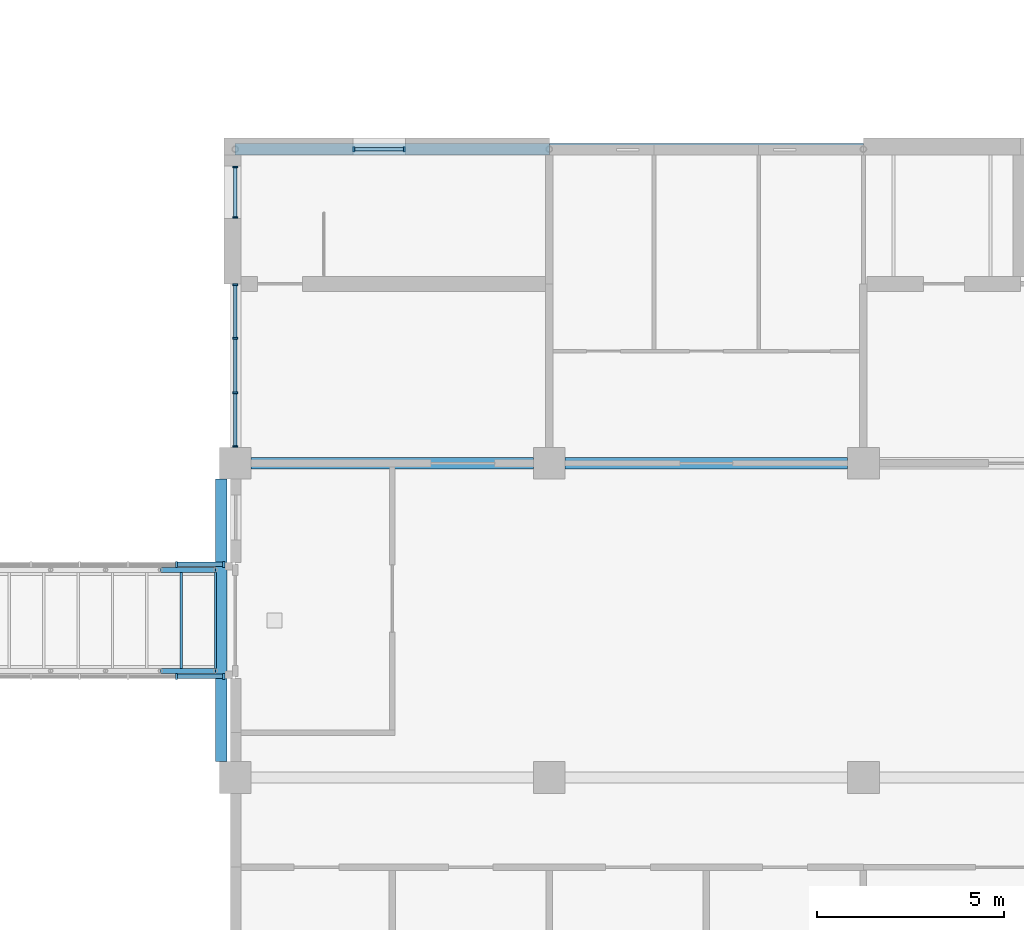
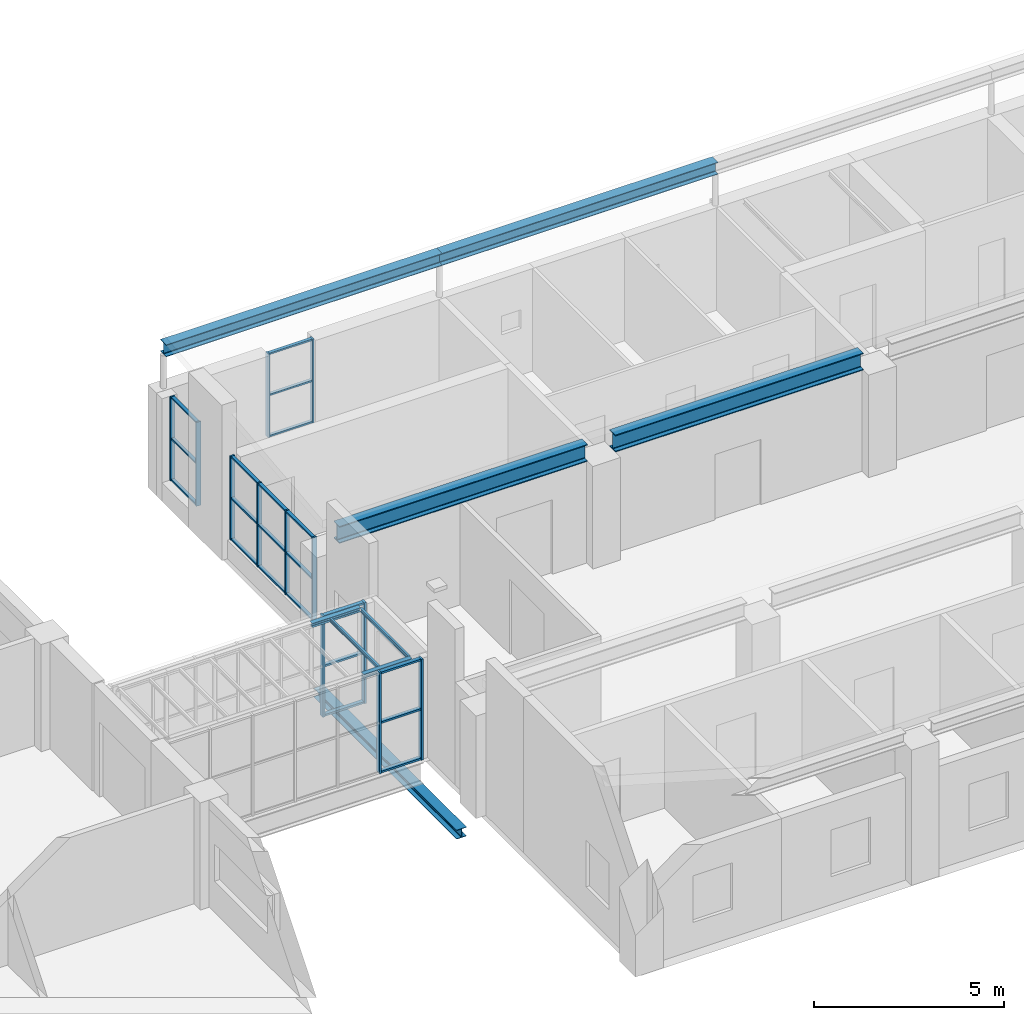
# One storey, part 30 of 94: 33 members, 9 beams, 5 elements without a shape of their own.
"""IFC4 building model written with IfcOpenShell, lengths in metres."""

from ifc_helpers import new_model, si_unit, direction, frame, origin, origin_2d, place, context, subcontext, project, spatial, rectangle, i_section, extrude, material, material_profile, profile_set, type_object, element, aggregate, save


model = new_model("IFC4")

# Units and contexts
model_context = context("Model", 3, precision=1e-05, world=origin(), true_north=direction((0.0, 1.0)))
body_context = subcontext(model_context, "Body", "Model", "MODEL_VIEW")
ifc_project = project(units=[si_unit("LENGTHUNIT", "METRE"), si_unit("AREAUNIT", "SQUARE_METRE"), si_unit("VOLUMEUNIT", "CUBIC_METRE"), si_unit("PLANEANGLEUNIT", "RADIAN"), si_unit("MASSUNIT", "GRAM", prefix="KILO")], contexts=[model_context])

# Site, building, storey
site_placement = place(None, origin())
site = spatial("IfcSite", under=ifc_project, at=site_placement, CompositionType="ELEMENT")
building_placement = place(site_placement, origin())
building = spatial("IfcBuilding", under=site, at=building_placement, Name="Yavir Park General Hospital", CompositionType="ELEMENT")
storey_placement = place(building_placement, frame((0.0, 0.0, 4.5)))
storey = spatial("IfcBuildingStorey", under=building, at=storey_placement, Name="L01", CompositionType="ELEMENT", Elevation=4.5)

# Curtain wall, members
ifc_material_1 = material(Name="Aluminium curtain wall frame with insulated glazing", Category="aluminium")
curtain_wall_type_1 = type_object("IfcCurtainWallType", Name="Bridge enclosure glazing, 3250 high, 1400 module", PredefinedType="NOTDEFINED", material=ifc_material_1)
curtain_wall_1_placement = place(storey_placement, origin())
curtain_wall_1 = element("IfcCurtainWall", 1, at=curtain_wall_1_placement, inside=storey, type_object=curtain_wall_type_1, Name="CW41 L01-007", PredefinedType="NOTDEFINED")
ifc_material_2 = material(Name="Aluminium", Category="aluminium")
ifc_material_profile_1 = material_profile(ifc_material_2, rectangle(XDim=0.159912109375, YDim=0.06005859375, at=origin_2d()), Name="AL 60x160")
ifc_profile_set_1 = profile_set([ifc_material_profile_1], Name="Aluminium")
member_type_1 = type_object("IfcMemberType", Name="Bridge enclosure glazing, 3250 high mullion 60 x 160", PredefinedType="MULLION", material=ifc_profile_set_1)
member_1_placement = place(storey_placement, frame((32.029052734375, 61.5, 0.0), z_axis=(0.0, 0.0, 1.0), x_axis=(0.0, 1.0, 0.0)))
member_1 = element("IfcMember", 2, at=member_1_placement, type_object=member_type_1, Name="CW41 mullion 6", PredefinedType="MULLION", context=body_context, shape_type="SweptSolid", body=[
    extrude(rectangle(XDim=0.159912109375, YDim=0.06005859375, at=origin_2d()), origin(), (0.0, 0.0, 1.0), 3.25),
])
member_2_placement = place(storey_placement, frame((33.294921875, 61.5, 0.0), z_axis=(0.0, 0.0, 1.0), x_axis=(0.0, 1.0, 0.0)))
member_2 = element("IfcMember", 3, at=member_2_placement, type_object=member_type_1, Name="CW41 mullion 7", PredefinedType="MULLION", context=body_context, shape_type="SweptSolid", body=[
    extrude(rectangle(XDim=0.159912109375, YDim=0.06005859375, at=origin_2d()), origin(), (0.0, 0.0, 1.0), 3.25),
])

curtain_wall_2_placement = place(storey_placement, origin())
curtain_wall_2 = element("IfcCurtainWall", 4, at=curtain_wall_2_placement, inside=storey, type_object=curtain_wall_type_1, Name="CW41 L01-008", PredefinedType="NOTDEFINED")
member_3_placement = place(storey_placement, frame((32.029052734375, 64.5, 0.0), z_axis=(0.0, 0.0, 1.0), x_axis=(0.0, 1.0, 0.0)))
member_3 = element("IfcMember", 5, at=member_3_placement, type_object=member_type_1, Name="CW41 mullion 6", PredefinedType="MULLION", context=body_context, shape_type="SweptSolid", body=[
    extrude(rectangle(XDim=0.159912109375, YDim=0.06005859375, at=origin_2d()), origin(), (0.0, 0.0, 1.0), 3.25),
])
member_4_placement = place(storey_placement, frame((33.294921875, 64.5, 0.0), z_axis=(0.0, 0.0, 1.0), x_axis=(0.0, 1.0, 0.0)))
member_4 = element("IfcMember", 6, at=member_4_placement, type_object=member_type_1, Name="CW41 mullion 7", PredefinedType="MULLION", context=body_context, shape_type="SweptSolid", body=[
    extrude(rectangle(XDim=0.159912109375, YDim=0.06005859375, at=origin_2d()), origin(), (0.0, 0.0, 1.0), 3.25),
])

# Member
ifc_material_3 = material(Name="Aluminium", Category="aluminium")
ifc_material_profile_2 = material_profile(ifc_material_3, rectangle(XDim=0.1201171875, YDim=0.06005859375, at=origin_2d()), Name="AL 120x60")
ifc_profile_set_2 = profile_set([ifc_material_profile_2], Name="Aluminium")
member_type_2 = type_object("IfcMemberType", Name="Bridge enclosure glazing, 3250 high transom 60 x 120", PredefinedType="MULLION", material=ifc_profile_set_2)
member_5_placement = place(storey_placement, frame((32.05908203125, 61.5, 0.030029296875), z_axis=(1.0, 0.0, 0.0), x_axis=(0.0, 1.0, 0.0)))
member_5 = element("IfcMember", 7, at=member_5_placement, type_object=member_type_2, Name="CW41 transom 6.1", PredefinedType="MULLION", context=body_context, shape_type="SweptSolid", body=[
    extrude(rectangle(XDim=0.1201171875, YDim=0.06005859375, at=origin_2d()), origin(), (0.0, 0.0, 1.0), 1.205810546875),
])

member_6_placement = place(storey_placement, frame((32.05908203125, 61.5, 1.625), z_axis=(1.0, 0.0, 0.0), x_axis=(0.0, 1.0, 0.0)))
member_6 = element("IfcMember", 8, at=member_6_placement, type_object=member_type_2, Name="CW41 transom 6.2", PredefinedType="MULLION", context=body_context, shape_type="SweptSolid", body=[
    extrude(rectangle(XDim=0.1201171875, YDim=0.06005859375, at=origin_2d()), origin(), (0.0, 0.0, 1.0), 1.205810546875),
])

member_7_placement = place(storey_placement, frame((32.05908203125, 61.5, 3.219970703125), z_axis=(1.0, 0.0, 0.0), x_axis=(0.0, 1.0, 0.0)))
member_7 = element("IfcMember", 9, at=member_7_placement, type_object=member_type_2, Name="CW41 transom 6.3", PredefinedType="MULLION", context=body_context, shape_type="SweptSolid", body=[
    extrude(rectangle(XDim=0.1201171875, YDim=0.06005859375, at=origin_2d()), origin(), (0.0, 0.0, 1.0), 1.205810546875),
])

aggregate(curtain_wall_1, [member_1, member_2, member_5, member_6, member_7])

member_8_placement = place(storey_placement, frame((32.05908203125, 64.5, 0.030029296875), z_axis=(1.0, 0.0, 0.0), x_axis=(0.0, 1.0, 0.0)))
member_8 = element("IfcMember", 10, at=member_8_placement, type_object=member_type_2, Name="CW41 transom 6.1", PredefinedType="MULLION", context=body_context, shape_type="SweptSolid", body=[
    extrude(rectangle(XDim=0.1201171875, YDim=0.06005859375, at=origin_2d()), origin(), (0.0, 0.0, 1.0), 1.205810546875),
])

member_9_placement = place(storey_placement, frame((32.05908203125, 64.5, 1.625), z_axis=(1.0, 0.0, 0.0), x_axis=(0.0, 1.0, 0.0)))
member_9 = element("IfcMember", 11, at=member_9_placement, type_object=member_type_2, Name="CW41 transom 6.2", PredefinedType="MULLION", context=body_context, shape_type="SweptSolid", body=[
    extrude(rectangle(XDim=0.1201171875, YDim=0.06005859375, at=origin_2d()), origin(), (0.0, 0.0, 1.0), 1.205810546875),
])

member_10_placement = place(storey_placement, frame((32.05908203125, 64.5, 3.219970703125), z_axis=(1.0, 0.0, 0.0), x_axis=(0.0, 1.0, 0.0)))
member_10 = element("IfcMember", 12, at=member_10_placement, type_object=member_type_2, Name="CW41 transom 6.3", PredefinedType="MULLION", context=body_context, shape_type="SweptSolid", body=[
    extrude(rectangle(XDim=0.1201171875, YDim=0.06005859375, at=origin_2d()), origin(), (0.0, 0.0, 1.0), 1.205810546875),
])

aggregate(curtain_wall_2, [member_3, member_4, member_8, member_9, member_10])

# Curtain wall, members
ifc_material_4 = material(Name="Aluminium curtain wall frame with insulated glazing", Category="aluminium")
curtain_wall_type_2 = type_object("IfcCurtainWallType", Name="Clinical corridor end glazing, 2700 high, 1400 module", PredefinedType="NOTDEFINED", material=ifc_material_4)
curtain_wall_3_placement = place(storey_placement, origin())
curtain_wall_3 = element("IfcCurtainWall", 13, at=curtain_wall_3_placement, inside=storey, type_object=curtain_wall_type_2, Name="CW54 L01-022", PredefinedType="NOTDEFINED")
ifc_material_5 = material(Name="Aluminium", Category="aluminium")
ifc_material_profile_3 = material_profile(ifc_material_5, rectangle(XDim=0.1298828125, YDim=0.050048828125, at=origin_2d()), Name="AL 50x130")
ifc_profile_set_3 = profile_set([ifc_material_profile_3], Name="Aluminium")
member_type_3 = type_object("IfcMemberType", Name="Clinical corridor end glazing, 2700 high mullion 50 x 130", PredefinedType="MULLION", material=ifc_profile_set_3)
member_11_placement = place(storey_placement, frame((33.60009765625, 67.64990234375, 0.60009765625), z_axis=(0.0, 0.0, 1.0), x_axis=(-1.0, 0.0, 0.0)))
member_11 = element("IfcMember", 14, at=member_11_placement, type_object=member_type_3, Name="CW54 mullion 1", PredefinedType="MULLION", context=body_context, shape_type="SweptSolid", body=[
    extrude(rectangle(XDim=0.1298828125, YDim=0.050048828125, at=origin_2d()), origin(), (0.0, 0.0, 1.0), 2.699951171875),
])
member_12_placement = place(storey_placement, frame((33.60009765625, 69.083251953125, 0.60009765625), z_axis=(0.0, 0.0, 1.0), x_axis=(-1.0, 0.0, 0.0)))
member_12 = element("IfcMember", 15, at=member_12_placement, type_object=member_type_3, Name="CW54 mullion 2", PredefinedType="MULLION", context=body_context, shape_type="SweptSolid", body=[
    extrude(rectangle(XDim=0.1298828125, YDim=0.050048828125, at=origin_2d()), origin(), (0.0, 0.0, 1.0), 2.699951171875),
])
member_13_placement = place(storey_placement, frame((33.60009765625, 70.541748046875, 0.60009765625), z_axis=(0.0, 0.0, 1.0), x_axis=(-1.0, 0.0, 0.0)))
member_13 = element("IfcMember", 16, at=member_13_placement, type_object=member_type_3, Name="CW54 mullion 3", PredefinedType="MULLION", context=body_context, shape_type="SweptSolid", body=[
    extrude(rectangle(XDim=0.1298828125, YDim=0.050048828125, at=origin_2d()), origin(), (0.0, 0.0, 1.0), 2.699951171875),
])
member_14_placement = place(storey_placement, frame((33.60009765625, 71.97509765625, 0.60009765625), z_axis=(0.0, 0.0, 1.0), x_axis=(-1.0, 0.0, 0.0)))
member_14 = element("IfcMember", 17, at=member_14_placement, type_object=member_type_3, Name="CW54 mullion 4", PredefinedType="MULLION", context=body_context, shape_type="SweptSolid", body=[
    extrude(rectangle(XDim=0.1298828125, YDim=0.050048828125, at=origin_2d()), origin(), (0.0, 0.0, 1.0), 2.699951171875),
])
ifc_material_6 = material(Name="Aluminium", Category="aluminium")
ifc_material_profile_4 = material_profile(ifc_material_6, rectangle(XDim=0.10009765625, YDim=0.050048828125, at=origin_2d()), Name="AL 100x50")
ifc_profile_set_4 = profile_set([ifc_material_profile_4], Name="Aluminium")
member_type_4 = type_object("IfcMemberType", Name="Clinical corridor end glazing, 2700 high transom 50 x 100", PredefinedType="MULLION", material=ifc_profile_set_4)
member_15_placement = place(storey_placement, frame((33.60009765625, 67.675048828125, 0.625), z_axis=(0.0, 1.0, 0.0), x_axis=(-1.0, 0.0, 0.0)))
member_15 = element("IfcMember", 18, at=member_15_placement, type_object=member_type_4, Name="CW54 transom 1.1", PredefinedType="MULLION", context=body_context, shape_type="SweptSolid", body=[
    extrude(rectangle(XDim=0.10009765625, YDim=0.050048828125, at=origin_2d()), origin(), (0.0, 0.0, 1.0), 1.38330078125),
])
member_16_placement = place(storey_placement, frame((33.60009765625, 67.675048828125, 1.949951171875), z_axis=(0.0, 1.0, 0.0), x_axis=(-1.0, 0.0, 0.0)))
member_16 = element("IfcMember", 19, at=member_16_placement, type_object=member_type_4, Name="CW54 transom 1.2", PredefinedType="MULLION", context=body_context, shape_type="SweptSolid", body=[
    extrude(rectangle(XDim=0.10009765625, YDim=0.050048828125, at=origin_2d()), origin(), (0.0, 0.0, 1.0), 1.38330078125),
])
member_17_placement = place(storey_placement, frame((33.60009765625, 67.675048828125, 3.27490234375), z_axis=(0.0, 1.0, 0.0), x_axis=(-1.0, 0.0, 0.0)))
member_17 = element("IfcMember", 20, at=member_17_placement, type_object=member_type_4, Name="CW54 transom 1.3", PredefinedType="MULLION", context=body_context, shape_type="SweptSolid", body=[
    extrude(rectangle(XDim=0.10009765625, YDim=0.050048828125, at=origin_2d()), origin(), (0.0, 0.0, 1.0), 1.38330078125),
])
member_18_placement = place(storey_placement, frame((33.60009765625, 69.1083984375, 0.625), z_axis=(0.0, 1.0, 0.0), x_axis=(-1.0, 0.0, 0.0)))
member_18 = element("IfcMember", 21, at=member_18_placement, type_object=member_type_4, Name="CW54 transom 2.1", PredefinedType="MULLION", context=body_context, shape_type="SweptSolid", body=[
    extrude(rectangle(XDim=0.10009765625, YDim=0.050048828125, at=origin_2d()), origin(), (0.0, 0.0, 1.0), 1.408203125),
])
member_19_placement = place(storey_placement, frame((33.60009765625, 69.1083984375, 1.949951171875), z_axis=(0.0, 1.0, 0.0), x_axis=(-1.0, 0.0, 0.0)))
member_19 = element("IfcMember", 22, at=member_19_placement, type_object=member_type_4, Name="CW54 transom 2.2", PredefinedType="MULLION", context=body_context, shape_type="SweptSolid", body=[
    extrude(rectangle(XDim=0.10009765625, YDim=0.050048828125, at=origin_2d()), origin(), (0.0, 0.0, 1.0), 1.408203125),
])
member_20_placement = place(storey_placement, frame((33.60009765625, 69.1083984375, 3.27490234375), z_axis=(0.0, 1.0, 0.0), x_axis=(-1.0, 0.0, 0.0)))
member_20 = element("IfcMember", 23, at=member_20_placement, type_object=member_type_4, Name="CW54 transom 2.3", PredefinedType="MULLION", context=body_context, shape_type="SweptSolid", body=[
    extrude(rectangle(XDim=0.10009765625, YDim=0.050048828125, at=origin_2d()), origin(), (0.0, 0.0, 1.0), 1.408203125),
])
member_21_placement = place(storey_placement, frame((33.60009765625, 70.566650390625, 0.625), z_axis=(0.0, 1.0, 0.0), x_axis=(-1.0, 0.0, 0.0)))
member_21 = element("IfcMember", 24, at=member_21_placement, type_object=member_type_4, Name="CW54 transom 3.1", PredefinedType="MULLION", context=body_context, shape_type="SweptSolid", body=[
    extrude(rectangle(XDim=0.10009765625, YDim=0.050048828125, at=origin_2d()), origin(), (0.0, 0.0, 1.0), 1.38330078125),
])
member_22_placement = place(storey_placement, frame((33.60009765625, 70.566650390625, 1.949951171875), z_axis=(0.0, 1.0, 0.0), x_axis=(-1.0, 0.0, 0.0)))
member_22 = element("IfcMember", 25, at=member_22_placement, type_object=member_type_4, Name="CW54 transom 3.2", PredefinedType="MULLION", context=body_context, shape_type="SweptSolid", body=[
    extrude(rectangle(XDim=0.10009765625, YDim=0.050048828125, at=origin_2d()), origin(), (0.0, 0.0, 1.0), 1.38330078125),
])
member_23_placement = place(storey_placement, frame((33.60009765625, 70.566650390625, 3.27490234375), z_axis=(0.0, 1.0, 0.0), x_axis=(-1.0, 0.0, 0.0)))
member_23 = element("IfcMember", 26, at=member_23_placement, type_object=member_type_4, Name="CW54 transom 3.3", PredefinedType="MULLION", context=body_context, shape_type="SweptSolid", body=[
    extrude(rectangle(XDim=0.10009765625, YDim=0.050048828125, at=origin_2d()), origin(), (0.0, 0.0, 1.0), 1.38330078125),
])
aggregate(curtain_wall_3, [member_11, member_12, member_13, member_14, member_15, member_16, member_17, member_18, member_19, member_20, member_21, member_22, member_23])

# Beams
ifc_material_7 = material(Name="Steel S355", Category="steel")
ifc_material_profile_5 = material_profile(ifc_material_7, i_section(OverallWidth=0.139892578125, OverallDepth=0.133056640625, WebThickness=0.005615234375, FlangeThickness=0.008544921875, FilletRadius=0.011962890625, at=origin_2d()), Name="HEA140")
ifc_profile_set_5 = profile_set([ifc_material_profile_5], Name="Steel S355")
beam_type_1 = type_object("IfcBeamType", Name="HEA 140 roof edge beam", PredefinedType="BEAM", material=ifc_profile_set_5)
for number, where, z_axis, x_axis, name in (
    (27, (31.60498046875, 61.64990234375, 3.18359375), (1.0, 0.0, 0.0), (0.0, 1.0, 0.0), "RF:BRW:frame:E:04"),
    (28, (31.60498046875, 64.35009765625, 3.18359375), (1.0, 0.0, 0.0), (0.0, 1.0, 0.0), "RF:BRW:frame:E:14"),
):
    element("IfcBeam", number, at=place(storey_placement, frame(where, z_axis=z_axis, x_axis=x_axis)), inside=storey, type_object=beam_type_1, Name=name, PredefinedType="BEAM", context=body_context, shape_type="SweptSolid", body=[
        extrude(i_section(OverallWidth=0.139892578125, OverallDepth=0.133056640625, WebThickness=0.005615234375, FlangeThickness=0.008544921875, FilletRadius=0.011962890625, at=origin_2d()), origin(), (0.0, 0.0, 1.0), 1.469970703125),
    ])
ifc_material_8 = material(Name="Steel S355", Category="steel")
ifc_material_profile_6 = material_profile(ifc_material_8, i_section(OverallWidth=0.300048828125, OverallDepth=0.2900390625, WebThickness=0.008544921875, FlangeThickness=0.013916015625, FilletRadius=0.027099609375, at=origin_2d()), Name="HEA300")
ifc_profile_set_6 = profile_set([ifc_material_profile_6], Name="Steel S355")
beam_type_2 = type_object("IfcBeamType", Name="HEA 300 bridge head beam", PredefinedType="BEAM", material=ifc_profile_set_6)
beam_placement = place(storey_placement, frame((33.22509765625, 59.22509765625, -0.9951171875), z_axis=(0.0, 1.0, 0.0), x_axis=(-1.0, 0.0, 0.0)))
element("IfcBeam", 29, at=beam_placement, inside=storey, type_object=beam_type_2, Name="B:BR_W:H1", PredefinedType="BEAM", context=body_context, shape_type="SweptSolid", body=[
    extrude(i_section(OverallWidth=0.300048828125, OverallDepth=0.2900390625, WebThickness=0.008544921875, FlangeThickness=0.013916015625, FilletRadius=0.027099609375, at=origin_2d()), origin(), (0.0, 0.0, 1.0), 7.5498046875),
])
ifc_material_9 = material(Name="Steel S355", Category="steel")
ifc_material_profile_7 = material_profile(ifc_material_9, i_section(OverallWidth=0.300048828125, OverallDepth=0.389892578125, WebThickness=0.010986328125, FlangeThickness=0.01904296875, FilletRadius=0.027099609375, at=origin_2d()), Name="HEA400")
ifc_profile_set_7 = profile_set([ifc_material_profile_7], Name="Steel S355")
beam_type_3 = type_object("IfcBeamType", Name="HEA 400 edge beam", PredefinedType="BEAM", material=ifc_profile_set_7)
for number, where, z_axis, x_axis, name in (
    (30, (33.60009765625, 75.60009765625, 4.552978515625), (1.0, 0.0, 0.0), (0.0, 1.0, 0.0), "B:CLIN:V3:0"),
    (31, (42.0, 75.60009765625, 4.552978515625), (1.0, 0.0, 0.0), (0.0, 1.0, 0.0), "B:CLIN:V3:1"),
):
    element("IfcBeam", number, at=place(storey_placement, frame(where, z_axis=z_axis, x_axis=x_axis)), inside=storey, type_object=beam_type_3, Name=name, PredefinedType="BEAM", context=body_context, shape_type="SweptSolid", body=[
        extrude(i_section(OverallWidth=0.300048828125, OverallDepth=0.389892578125, WebThickness=0.010986328125, FlangeThickness=0.01904296875, FilletRadius=0.027099609375, at=origin_2d()), origin(), (0.0, 0.0, 1.0), 8.39990234375),
    ])
ifc_material_10 = material(Name="Steel S355", Category="steel")
ifc_material_profile_8 = material_profile(ifc_material_10, i_section(OverallWidth=0.300048828125, OverallDepth=0.550048828125, WebThickness=0.014892578125, FlangeThickness=0.029052734375, FilletRadius=0.027099609375, at=origin_2d()), Name="HEB550")
ifc_profile_set_8 = profile_set([ifc_material_profile_8], Name="Steel S355")
beam_type_4 = type_object("IfcBeamType", Name="HEB 550 valley beam", PredefinedType="BEAM", material=ifc_profile_set_8)
for number, where, z_axis, x_axis, name in (
    (32, (34.02490234375, 67.199951171875, 3.572998046875), (1.0, 0.0, 0.0), (0.0, 1.0, 0.0), "B:CLIN:V2:0"),
    (33, (42.425048828125, 67.199951171875, 3.572998046875), (1.0, 0.0, 0.0), (0.0, 1.0, 0.0), "B:CLIN:V2:1"),
):
    element("IfcBeam", number, at=place(storey_placement, frame(where, z_axis=z_axis, x_axis=x_axis)), inside=storey, type_object=beam_type_4, Name=name, PredefinedType="BEAM", context=body_context, shape_type="SweptSolid", body=[
        extrude(i_section(OverallWidth=0.300048828125, OverallDepth=0.550048828125, WebThickness=0.014892578125, FlangeThickness=0.029052734375, FilletRadius=0.027099609375, at=origin_2d()), origin(), (0.0, 0.0, 1.0), 7.550048828125),
    ])
ifc_material_11 = material(Name="Steel S355", Category="steel")
ifc_material_profile_9 = material_profile(ifc_material_11, i_section(OverallWidth=0.06396484375, OverallDepth=0.1201171875, WebThickness=0.00439453125, FlangeThickness=0.00634765625, FilletRadius=0.007080078125, at=origin_2d()), Name="IPE120")
ifc_profile_set_9 = profile_set([ifc_material_profile_9], Name="Steel S355")
beam_type_5 = type_object("IfcBeamType", Name="IPE 120 roof cross beam", PredefinedType="JOIST", material=ifc_profile_set_9)
for number, where, z_axis, x_axis, name in (
    (34, (32.15625, 61.719970703125, 3.18994140625), (0.0, 1.0, 0.0), (-1.0, 0.0, 0.0), "RF:BRW:frame:C:7"),
    (35, (33.074951171875, 61.719970703125, 3.18994140625), (0.0, 1.0, 0.0), (-1.0, 0.0, 0.0), "RF:BRW:frame:C:8"),
):
    element("IfcBeam", number, at=place(storey_placement, frame(where, z_axis=z_axis, x_axis=x_axis)), inside=storey, type_object=beam_type_5, Name=name, PredefinedType="JOIST", context=body_context, shape_type="SweptSolid", body=[
        extrude(i_section(OverallWidth=0.06396484375, OverallDepth=0.1201171875, WebThickness=0.00439453125, FlangeThickness=0.00634765625, FilletRadius=0.007080078125, at=origin_2d()), origin(), (0.0, 0.0, 1.0), 2.56005859375),
    ])

# Curtain wall, members
ifc_material_12 = material(Name="Aluminium curtain wall frame with insulated glazing", Category="aluminium")
curtain_wall_type_3 = type_object("IfcCurtainWallType", Name="Stair light slot, podium, 2700 high, 1400 module", PredefinedType="NOTDEFINED", material=ifc_material_12)
curtain_wall_4_placement = place(storey_placement, origin())
curtain_wall_4 = element("IfcCurtainWall", 36, at=curtain_wall_4_placement, inside=storey, type_object=curtain_wall_type_3, Name="CW53 L01-009", PredefinedType="NOTDEFINED")
ifc_material_13 = material(Name="Aluminium", Category="aluminium")
ifc_material_profile_10 = material_profile(ifc_material_13, rectangle(XDim=0.139892578125, YDim=0.050048828125, at=origin_2d()), Name="AL 50x140")
ifc_profile_set_10 = profile_set([ifc_material_profile_10], Name="Aluminium")
member_type_5 = type_object("IfcMemberType", Name="Stair light slot, podium, 2700 high mullion 50 x 140", PredefinedType="MULLION", material=ifc_profile_set_10)
member_24_placement = place(storey_placement, frame((36.77490234375, 75.60009765625, 0.60009765625), z_axis=(0.0, 0.0, 1.0), x_axis=(0.0, 1.0, 0.0)))
member_24 = element("IfcMember", 37, at=member_24_placement, type_object=member_type_5, Name="CW53 mullion 1", PredefinedType="MULLION", context=body_context, shape_type="SweptSolid", body=[
    extrude(rectangle(XDim=0.139892578125, YDim=0.050048828125, at=origin_2d()), origin(), (0.0, 0.0, 1.0), 2.699951171875),
])
member_25_placement = place(storey_placement, frame((38.125, 75.60009765625, 0.60009765625), z_axis=(0.0, 0.0, 1.0), x_axis=(0.0, 1.0, 0.0)))
member_25 = element("IfcMember", 38, at=member_25_placement, type_object=member_type_5, Name="CW53 mullion 2", PredefinedType="MULLION", context=body_context, shape_type="SweptSolid", body=[
    extrude(rectangle(XDim=0.139892578125, YDim=0.050048828125, at=origin_2d()), origin(), (0.0, 0.0, 1.0), 2.699951171875),
])

curtain_wall_5_placement = place(storey_placement, origin())
curtain_wall_5 = element("IfcCurtainWall", 39, at=curtain_wall_5_placement, inside=storey, type_object=curtain_wall_type_3, Name="CW53 L01-023", PredefinedType="NOTDEFINED")
member_26_placement = place(storey_placement, frame((33.60009765625, 73.77490234375, 0.60009765625), z_axis=(0.0, 0.0, 1.0), x_axis=(-1.0, 0.0, 0.0)))
member_26 = element("IfcMember", 40, at=member_26_placement, type_object=member_type_5, Name="CW53 mullion 1", PredefinedType="MULLION", context=body_context, shape_type="SweptSolid", body=[
    extrude(rectangle(XDim=0.139892578125, YDim=0.050048828125, at=origin_2d()), origin(), (0.0, 0.0, 1.0), 2.699951171875),
])
member_27_placement = place(storey_placement, frame((33.60009765625, 75.125, 0.60009765625), z_axis=(0.0, 0.0, 1.0), x_axis=(-1.0, 0.0, 0.0)))
member_27 = element("IfcMember", 41, at=member_27_placement, type_object=member_type_5, Name="CW53 mullion 2", PredefinedType="MULLION", context=body_context, shape_type="SweptSolid", body=[
    extrude(rectangle(XDim=0.139892578125, YDim=0.050048828125, at=origin_2d()), origin(), (0.0, 0.0, 1.0), 2.699951171875),
])

# Member
ifc_material_14 = material(Name="Aluminium", Category="aluminium")
ifc_material_profile_11 = material_profile(ifc_material_14, rectangle(XDim=0.10009765625, YDim=0.050048828125, at=origin_2d()), Name="AL 100x50")
ifc_profile_set_11 = profile_set([ifc_material_profile_11], Name="Aluminium")
member_type_6 = type_object("IfcMemberType", Name="Stair light slot, podium, 2700 high transom 50 x 100", PredefinedType="MULLION", material=ifc_profile_set_11)
member_28_placement = place(storey_placement, frame((36.800048828125, 75.60009765625, 0.625), z_axis=(1.0, 0.0, 0.0), x_axis=(0.0, 1.0, 0.0)))
member_28 = element("IfcMember", 42, at=member_28_placement, type_object=member_type_6, Name="CW53 transom 1.1", PredefinedType="MULLION", context=body_context, shape_type="SweptSolid", body=[
    extrude(rectangle(XDim=0.10009765625, YDim=0.050048828125, at=origin_2d()), origin(), (0.0, 0.0, 1.0), 1.300048828125),
])

member_29_placement = place(storey_placement, frame((36.800048828125, 75.60009765625, 1.949951171875), z_axis=(1.0, 0.0, 0.0), x_axis=(0.0, 1.0, 0.0)))
member_29 = element("IfcMember", 43, at=member_29_placement, type_object=member_type_6, Name="CW53 transom 1.2", PredefinedType="MULLION", context=body_context, shape_type="SweptSolid", body=[
    extrude(rectangle(XDim=0.10009765625, YDim=0.050048828125, at=origin_2d()), origin(), (0.0, 0.0, 1.0), 1.300048828125),
])

member_30_placement = place(storey_placement, frame((36.800048828125, 75.60009765625, 3.27490234375), z_axis=(1.0, 0.0, 0.0), x_axis=(0.0, 1.0, 0.0)))
member_30 = element("IfcMember", 44, at=member_30_placement, type_object=member_type_6, Name="CW53 transom 1.3", PredefinedType="MULLION", context=body_context, shape_type="SweptSolid", body=[
    extrude(rectangle(XDim=0.10009765625, YDim=0.050048828125, at=origin_2d()), origin(), (0.0, 0.0, 1.0), 1.300048828125),
])

aggregate(curtain_wall_4, [member_24, member_25, member_28, member_29, member_30])

member_31_placement = place(storey_placement, frame((33.60009765625, 73.800048828125, 0.625), z_axis=(0.0, 1.0, 0.0), x_axis=(-1.0, 0.0, 0.0)))
member_31 = element("IfcMember", 45, at=member_31_placement, type_object=member_type_6, Name="CW53 transom 1.1", PredefinedType="MULLION", context=body_context, shape_type="SweptSolid", body=[
    extrude(rectangle(XDim=0.10009765625, YDim=0.050048828125, at=origin_2d()), origin(), (0.0, 0.0, 1.0), 1.300048828125),
])

member_32_placement = place(storey_placement, frame((33.60009765625, 73.800048828125, 1.949951171875), z_axis=(0.0, 1.0, 0.0), x_axis=(-1.0, 0.0, 0.0)))
member_32 = element("IfcMember", 46, at=member_32_placement, type_object=member_type_6, Name="CW53 transom 1.2", PredefinedType="MULLION", context=body_context, shape_type="SweptSolid", body=[
    extrude(rectangle(XDim=0.10009765625, YDim=0.050048828125, at=origin_2d()), origin(), (0.0, 0.0, 1.0), 1.300048828125),
])

member_33_placement = place(storey_placement, frame((33.60009765625, 73.800048828125, 3.27490234375), z_axis=(0.0, 1.0, 0.0), x_axis=(-1.0, 0.0, 0.0)))
member_33 = element("IfcMember", 47, at=member_33_placement, type_object=member_type_6, Name="CW53 transom 1.3", PredefinedType="MULLION", context=body_context, shape_type="SweptSolid", body=[
    extrude(rectangle(XDim=0.10009765625, YDim=0.050048828125, at=origin_2d()), origin(), (0.0, 0.0, 1.0), 1.300048828125),
])

aggregate(curtain_wall_5, [member_26, member_27, member_31, member_32, member_33])

save(model, "model.ifc")
